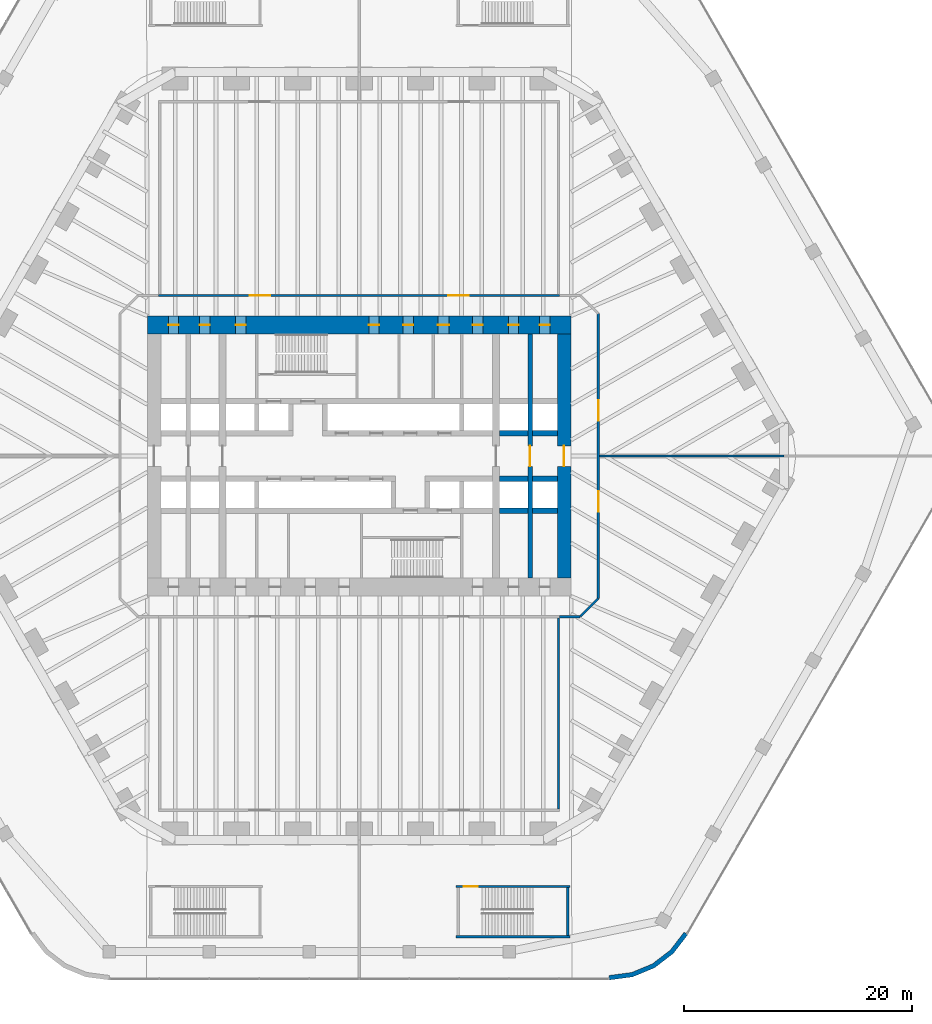
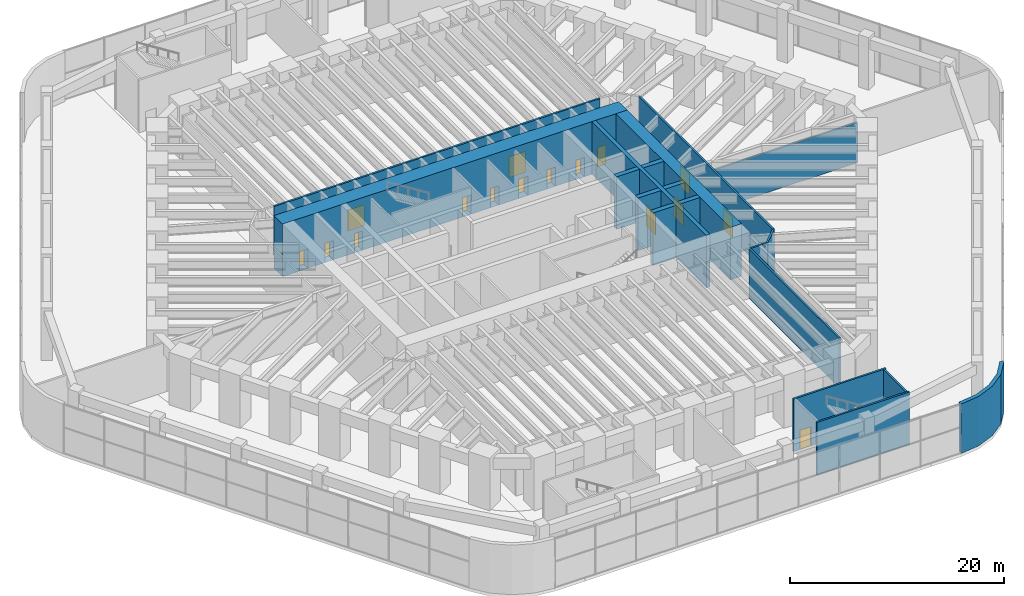
# One storey, part 28 of 31: 19 walls, 16 doors, 16 openings.
"""IFC4 building model written with IfcOpenShell, lengths in metres."""

from ifc_helpers import new_model, si_unit, direction, frame, frame_2d, origin, place, context, subcontext, project, spatial, polyline, rectangle, outline, extrude, material, layer, layer_set, type_object, element, fill, save


model = new_model("IFC4")

# Units and contexts
model_context = context("Model", 3, precision=1e-05, world=origin(), true_north=direction((0.0, 1.0)))
body_context = subcontext(model_context, "Body", "Model", "MODEL_VIEW")
ifc_project = project(units=[si_unit("LENGTHUNIT", "METRE"), si_unit("AREAUNIT", "SQUARE_METRE"), si_unit("VOLUMEUNIT", "CUBIC_METRE"), si_unit("PLANEANGLEUNIT", "RADIAN"), si_unit("MASSUNIT", "GRAM", prefix="KILO")], contexts=[model_context])

# Site, building, storey
site_placement = place(None, origin())
site = spatial("IfcSite", under=ifc_project, at=site_placement, CompositionType="ELEMENT")
building_placement = place(site_placement, origin())
building = spatial("IfcBuilding", under=site, at=building_placement, Name="Tarfa Lantern Tower", CompositionType="ELEMENT")
storey_placement = place(building_placement, frame((0.0, 0.0, 7.0)))
storey = spatial("IfcBuildingStorey", under=building, at=storey_placement, Name="L01", CompositionType="ELEMENT", Elevation=7.0)

# Wall
ifc_material_1 = material(Name="Limestone cladding on blockwork", Category="masonry")
ifc_layer_1 = layer(ifc_material_1, 0.39990234375)
ifc_layer_set_1 = layer_set([ifc_layer_1], Name="EW2 CURVED STONE CORNER 400")
wall_type_1 = type_object("IfcWallType", Name="EW2 CURVED STONE CORNER 400", PredefinedType="SOLIDWALL", material=ifc_layer_set_1)
wall_1_placement = place(storey_placement, origin())
element("IfcWall", 1, at=wall_1_placement, inside=storey, type_object=wall_type_1, Name="Stone corner S-SE", PredefinedType="SOLIDWALL", context=body_context, shape_type="SweptSolid", body=[
    extrude(outline(polyline([(21.939208984375, -46.0), (24.009765625, -45.727294921875), (25.939208984375, -44.92822265625), (27.59619140625, -43.65673828125), (28.867431640625, -42.0), (28.52099609375, -41.800048828125), (27.313232421875, -43.3740234375), (25.7392578125, -44.581787109375), (23.90625, -45.341064453125), (21.939208984375, -45.60009765625), (21.939208984375, -46.0)])), origin(), (0.0, 0.0, 1.0), 5.64990234375),
])

# Wall, openings, doors
ifc_material_2 = material(Name="Gypsum board on steel studs", Category="steel")
ifc_layer_2 = layer(ifc_material_2, 0.2099609375)
ifc_layer_set_2 = layer_set([ifc_layer_2], Name="IW2 ACOUSTIC PARTITION 200")
wall_type_2 = type_object("IfcWallType", Name="IW2 ACOUSTIC PARTITION 200", PredefinedType="PARTITIONING", material=ifc_layer_set_2)
wall_2_placement = place(storey_placement, frame((-17.60009765625, 14.10009765625, 0.0), z_axis=(0.0, 0.0, 1.0), x_axis=(1.0, 0.0, 0.0)))
wall_2 = element("IfcWall", 2, at=wall_2_placement, inside=storey, type_object=wall_type_2, Name="Partition", PredefinedType="PARTITIONING", context=body_context, shape_type="SweptSolid", body=[
    extrude(rectangle(XDim=35.2001953125, YDim=0.199951171875, at=frame_2d((17.60009765625, 0.0))), origin(), (0.0, 0.0, 1.0), 5.64990234375),
])
opening_1_placement = place(wall_2_placement, frame((8.0, 0.0, 0.0)))
opening_1 = element("IfcOpeningElement", 3, at=opening_1_placement, cuts=wall_2, Name="Opening D33", PredefinedType="OPENING", context=body_context, shape_type="SweptSolid", body=[
    extrude(rectangle(XDim=1.800048828125, YDim=2.39990234375, at=frame_2d((0.89990234375, 1.199951171875))), frame((0.0, 0.10986328125, 0.0), z_axis=(0.0, -1.0, 0.0), x_axis=(1.0, 0.0, 0.0)), (0.0, 0.0, 1.0), 0.219970703125),
])
opening_2_placement = place(wall_2_placement, frame((25.39990234375, 0.0, 0.0)))
opening_2 = element("IfcOpeningElement", 4, at=opening_2_placement, cuts=wall_2, Name="Opening D34", PredefinedType="OPENING", context=body_context, shape_type="SweptSolid", body=[
    extrude(rectangle(XDim=1.800048828125, YDim=2.39990234375, at=frame_2d((0.89990234375, 1.199951171875))), frame((0.0, 0.10986328125, 0.0), z_axis=(0.0, -1.0, 0.0), x_axis=(1.0, 0.0, 0.0)), (0.0, 0.0, 1.0), 0.219970703125),
])
ifc_material_3 = material(Name="Timber door", Category="wood")
door_type_1 = type_object("IfcDoorType", Name="DR2 ROOM DOOR 1800x2400", OperationType="DOUBLE_DOOR_SINGLE_SWING", PredefinedType="DOOR", material=ifc_material_3)
door_1_placement = place(opening_1_placement, origin())
door_1 = element("IfcDoor", 5, at=door_1_placement, inside=storey, type_object=door_type_1, Name="Auditorium door", OperationType="DOUBLE_DOOR_SINGLE_SWING", OverallHeight=2.39990234375, OverallWidth=1.800048828125, PredefinedType="DOOR", context=body_context, shape_type="SweptSolid", body=[
    extrude(rectangle(XDim=1.800048828125, YDim=2.39990234375, at=frame_2d((0.89990234375, 1.199951171875))), frame((0.0, 0.02490234375, 0.0), z_axis=(0.0, -1.0, 0.0), x_axis=(1.0, 0.0, 0.0)), (0.0, 0.0, 1.0), 0.050048828125),
])
fill(opening_1, door_1)
door_2_placement = place(opening_2_placement, origin())
door_2 = element("IfcDoor", 6, at=door_2_placement, inside=storey, type_object=door_type_1, Name="Auditorium door", OperationType="DOUBLE_DOOR_SINGLE_SWING", OverallHeight=2.39990234375, OverallWidth=1.800048828125, PredefinedType="DOOR", context=body_context, shape_type="SweptSolid", body=[
    extrude(rectangle(XDim=1.800048828125, YDim=2.39990234375, at=frame_2d((0.89990234375, 1.199951171875))), frame((0.0, 0.02490234375, 0.0), z_axis=(0.0, -1.0, 0.0), x_axis=(1.0, 0.0, 0.0)), (0.0, 0.0, 1.0), 0.050048828125),
])
fill(opening_2, door_2)

# Wall
wall_3_placement = place(storey_placement, frame((17.5, -14.199951171875, 0.0), z_axis=(0.0, 0.0, 1.0), x_axis=(0.0, -1.0, 0.0)))
element("IfcWall", 7, at=wall_3_placement, inside=storey, type_object=wall_type_2, Name="Partition", PredefinedType="PARTITIONING", context=body_context, shape_type="SweptSolid", body=[
    extrude(rectangle(XDim=16.800048828125, YDim=0.199951171875, at=frame_2d((8.39990234375, 0.0))), origin(), (0.0, 0.0, 1.0), 5.64990234375),
])

# Wall, openings, doors
wall_4_placement = place(storey_placement, frame((21.0, 12.5, 0.0), z_axis=(0.0, 0.0, 1.0), x_axis=(0.0, -1.0, 0.0)))
wall_4 = element("IfcWall", 8, at=wall_4_placement, inside=storey, type_object=wall_type_2, Name="Partition", PredefinedType="PARTITIONING", context=body_context, shape_type="SweptSolid", body=[
    extrude(rectangle(XDim=25.0, YDim=0.199951171875, at=frame_2d((12.5, 0.0))), origin(), (0.0, 0.0, 1.0), 5.64990234375),
])
opening_3_placement = place(wall_4_placement, frame((7.60009765625, 0.0, 0.0)))
opening_3 = element("IfcOpeningElement", 9, at=opening_3_placement, cuts=wall_4, Name="Opening D41", PredefinedType="OPENING", context=body_context, shape_type="SweptSolid", body=[
    extrude(rectangle(XDim=1.800048828125, YDim=2.39990234375, at=frame_2d((0.89990234375, 1.199951171875))), frame((0.0, 0.10986328125, 0.0), z_axis=(0.0, -1.0, 0.0), x_axis=(1.0, 0.0, 0.0)), (0.0, 0.0, 1.0), 0.219970703125),
])
opening_4_placement = place(wall_4_placement, frame((15.60009765625, 0.0, 0.0)))
opening_4 = element("IfcOpeningElement", 10, at=opening_4_placement, cuts=wall_4, Name="Opening D43", PredefinedType="OPENING", context=body_context, shape_type="SweptSolid", body=[
    extrude(rectangle(XDim=1.800048828125, YDim=2.39990234375, at=frame_2d((0.89990234375, 1.199951171875))), frame((0.0, 0.10986328125, 0.0), z_axis=(0.0, -1.0, 0.0), x_axis=(1.0, 0.0, 0.0)), (0.0, 0.0, 1.0), 0.219970703125),
])
door_3_placement = place(opening_3_placement, origin())
door_3 = element("IfcDoor", 11, at=door_3_placement, inside=storey, type_object=door_type_1, Name="Events team workplace door", OperationType="DOUBLE_DOOR_SINGLE_SWING", OverallHeight=2.39990234375, OverallWidth=1.800048828125, PredefinedType="DOOR", context=body_context, shape_type="SweptSolid", body=[
    extrude(rectangle(XDim=1.800048828125, YDim=2.39990234375, at=frame_2d((0.89990234375, 1.199951171875))), frame((0.0, 0.02490234375, 0.0), z_axis=(0.0, -1.0, 0.0), x_axis=(1.0, 0.0, 0.0)), (0.0, 0.0, 1.0), 0.050048828125),
])
fill(opening_3, door_3)
door_4_placement = place(opening_4_placement, origin())
door_4 = element("IfcDoor", 12, at=door_4_placement, inside=storey, type_object=door_type_1, Name="Events team workplace door", OperationType="DOUBLE_DOOR_SINGLE_SWING", OverallHeight=2.39990234375, OverallWidth=1.800048828125, PredefinedType="DOOR", context=body_context, shape_type="SweptSolid", body=[
    extrude(rectangle(XDim=1.800048828125, YDim=2.39990234375, at=frame_2d((0.89990234375, 1.199951171875))), frame((0.0, 0.02490234375, 0.0), z_axis=(0.0, -1.0, 0.0), x_axis=(1.0, 0.0, 0.0)), (0.0, 0.0, 1.0), 0.050048828125),
])
fill(opening_4, door_4)

# Walls
wall_5_placement = place(storey_placement, frame((21.0, -12.5, 0.0), z_axis=(0.0, 0.0, 1.0), x_axis=(-0.707106781187, -0.707106781187, 0.0)))
element("IfcWall", 13, at=wall_5_placement, inside=storey, type_object=wall_type_2, Name="Partition", PredefinedType="PARTITIONING", context=body_context, shape_type="SweptSolid", body=[
    extrude(rectangle(XDim=2.262939453125, YDim=0.199951171875, at=frame_2d((1.13134765625, 0.0))), origin(), (0.0, 0.0, 1.0), 5.64990234375),
])
wall_6_placement = place(storey_placement, frame((19.39990234375, -14.10009765625, 0.0), z_axis=(0.0, 0.0, 1.0), x_axis=(-1.0, 0.0, 0.0)))
element("IfcWall", 14, at=wall_6_placement, inside=storey, type_object=wall_type_2, Name="Partition", PredefinedType="PARTITIONING", context=body_context, shape_type="SweptSolid", body=[
    extrude(rectangle(XDim=1.7998046875, YDim=0.199951171875, at=frame_2d((0.89990234375, 0.0))), origin(), (0.0, 0.0, 1.0), 5.64990234375),
])
wall_7_placement = place(storey_placement, frame((21.10009765625, 0.0, 0.0), z_axis=(0.0, 0.0, 1.0), x_axis=(1.0, 0.0, 0.0)))
element("IfcWall", 15, at=wall_7_placement, inside=storey, type_object=wall_type_2, Name="Partition", PredefinedType="PARTITIONING", context=body_context, shape_type="SweptSolid", body=[
    extrude(rectangle(XDim=16.185302734375, YDim=0.199951171875, at=frame_2d((8.0927734375, 0.0))), origin(), (0.0, 0.0, 1.0), 4.593994140625),
])

# Wall, opening, door
ifc_material_4 = material(Name="Concrete C80/95", Category="concrete")
ifc_layer_3 = layer(ifc_material_4, 1.199951171875)
ifc_layer_set_3 = layer_set([ifc_layer_3], Name="SW1 CORE WALL 1200")
wall_type_3 = type_object("IfcWallType", Name="SW1 CORE WALL 1200", PredefinedType="SHEAR", material=ifc_layer_set_3)
wall_8_placement = place(storey_placement, frame((18.0, -10.699951171875, 0.0), z_axis=(0.0, 0.0, 1.0), x_axis=(0.0, 1.0, 0.0)))
wall_8 = element("IfcWall", 16, at=wall_8_placement, inside=storey, type_object=wall_type_3, Name="Core wall E", PredefinedType="SHEAR", context=body_context, shape_type="SweptSolid", body=[
    extrude(rectangle(XDim=21.39990234375, YDim=1.199951171875, at=frame_2d((10.699951171875, 0.0))), origin(), (0.0, 0.0, 1.0), 6.0),
])
opening_5_placement = place(wall_8_placement, frame((9.800048828125, 0.0, 0.0)))
opening_5 = element("IfcOpeningElement", 17, at=opening_5_placement, cuts=wall_8, Name="Opening D15", PredefinedType="OPENING", context=body_context, shape_type="SweptSolid", body=[
    extrude(rectangle(XDim=1.800048828125, YDim=2.39990234375, at=frame_2d((0.89990234375, 1.199951171875))), frame((0.0, 0.60986328125, 0.0), z_axis=(0.0, -1.0, 0.0), x_axis=(1.0, 0.0, 0.0)), (0.0, 0.0, 1.0), 1.219970703125),
])
ifc_material_5 = material(Name="Steel fire door", Category="steel")
door_type_2 = type_object("IfcDoorType", Name="DL1 LOBBY DOOR 1800x2400", OperationType="DOUBLE_DOOR_SINGLE_SWING", PredefinedType="DOOR", material=ifc_material_5)
door_5_placement = place(opening_5_placement, frame((1.800048828125, 0.0, 0.0), z_axis=(0.0, 0.0, 1.0), x_axis=(-1.0, 0.0, 0.0)))
door_5 = element("IfcDoor", 18, at=door_5_placement, inside=storey, type_object=door_type_2, Name="Lift lobby door", OperationType="DOUBLE_DOOR_SINGLE_SWING", OverallHeight=2.39990234375, OverallWidth=1.800048828125, PredefinedType="DOOR", context=body_context, shape_type="SweptSolid", body=[
    extrude(rectangle(XDim=1.800048828125, YDim=2.39990234375, at=frame_2d((0.89990234375, 1.199951171875))), frame((0.0, 0.02490234375, 0.0), z_axis=(0.0, -1.0, 0.0), x_axis=(1.0, 0.0, 0.0)), (0.0, 0.0, 1.0), 0.050048828125),
])
fill(opening_5, door_5)

# Wall
ifc_layer_4 = layer(ifc_material_4, 0.199951171875)
ifc_layer_set_4 = layer_set([ifc_layer_4], Name="SW12 CORE WALL 200")
wall_type_4 = type_object("IfcWallType", Name="SW12 CORE WALL 200", PredefinedType="SHEAR", material=ifc_layer_set_4)
wall_9_placement = place(storey_placement, frame((8.5, -42.199951171875, 0.0), z_axis=(0.0, 0.0, 1.0), x_axis=(1.0, 0.0, 0.0)))
element("IfcWall", 19, at=wall_9_placement, inside=storey, type_object=wall_type_4, Name="Stair ST6 shaft wall", PredefinedType="SHEAR", context=body_context, shape_type="SweptSolid", body=[
    extrude(rectangle(XDim=10.0, YDim=0.199951171875, at=frame_2d((5.0, 0.0))), origin(), (0.0, 0.0, 1.0), 6.0),
])

# Wall, opening, door
wall_10_placement = place(storey_placement, frame((18.5, -37.800048828125, 0.0), z_axis=(0.0, 0.0, 1.0), x_axis=(-1.0, 0.0, 0.0)))
wall_10 = element("IfcWall", 20, at=wall_10_placement, inside=storey, type_object=wall_type_4, Name="Stair ST6 shaft wall", PredefinedType="SHEAR", context=body_context, shape_type="SweptSolid", body=[
    extrude(rectangle(XDim=10.0, YDim=0.199951171875, at=frame_2d((5.0, 0.0))), origin(), (0.0, 0.0, 1.0), 6.0),
])
opening_6_placement = place(wall_10_placement, frame((8.10009765625, 0.0, 0.0)))
opening_6 = element("IfcOpeningElement", 21, at=opening_6_placement, cuts=wall_10, Name="Opening D32", PredefinedType="OPENING", context=body_context, shape_type="SweptSolid", body=[
    extrude(rectangle(XDim=1.199951171875, YDim=2.199951171875, at=frame_2d((0.60009765625, 1.10009765625))), frame((0.0, 0.10986328125, 0.0), z_axis=(0.0, -1.0, 0.0), x_axis=(1.0, 0.0, 0.0)), (0.0, 0.0, 1.0), 0.219970703125),
])
door_type_3 = type_object("IfcDoorType", Name="DF9 STAIR DOOR 1200x2200", OperationType="SINGLE_SWING_LEFT", PredefinedType="DOOR", material=ifc_material_5)
door_6_placement = place(opening_6_placement, frame((1.199951171875, 0.0, 0.0), z_axis=(0.0, 0.0, 1.0), x_axis=(-1.0, 0.0, 0.0)))
door_6 = element("IfcDoor", 22, at=door_6_placement, inside=storey, type_object=door_type_3, Name="Stair door", OperationType="SINGLE_SWING_RIGHT", OverallHeight=2.199951171875, OverallWidth=1.199951171875, PredefinedType="DOOR", context=body_context, shape_type="SweptSolid", body=[
    extrude(rectangle(XDim=1.199951171875, YDim=2.199951171875, at=frame_2d((0.60009765625, 1.10009765625))), frame((0.0, 0.02490234375, 0.0), z_axis=(0.0, -1.0, 0.0), x_axis=(1.0, 0.0, 0.0)), (0.0, 0.0, 1.0), 0.050048828125),
])
fill(opening_6, door_6)

# Walls
wall_11_placement = place(storey_placement, frame((18.300048828125, -42.10009765625, 0.0), z_axis=(0.0, 0.0, 1.0), x_axis=(0.0, 1.0, 0.0)))
element("IfcWall", 23, at=wall_11_placement, inside=storey, type_object=wall_type_4, Name="Stair ST6 shaft wall", PredefinedType="SHEAR", context=body_context, shape_type="SweptSolid", body=[
    extrude(rectangle(XDim=4.2001953125, YDim=0.199951171875, at=frame_2d((2.10009765625, 0.0))), origin(), (0.0, 0.0, 1.0), 6.0),
])
ifc_layer_5 = layer(ifc_material_4, 0.5)
ifc_layer_set_5 = layer_set([ifc_layer_5], Name="SW5 CORE WALL 500")
wall_type_5 = type_object("IfcWallType", Name="SW5 CORE WALL 500", PredefinedType="SHEAR", material=ifc_layer_set_5)
wall_12_placement = place(storey_placement, frame((12.300048828125, 2.0, 0.0), z_axis=(0.0, 0.0, 1.0), x_axis=(1.0, 0.0, 0.0)))
element("IfcWall", 24, at=wall_12_placement, inside=storey, type_object=wall_type_5, Name="Core wall lobby east N", PredefinedType="SHEAR", context=body_context, shape_type="SweptSolid", body=[
    extrude(rectangle(XDim=2.5, YDim=0.5, at=frame_2d((1.25, 0.0))), origin(), (0.0, 0.0, 1.0), 6.0),
])
for number, where, z_axis, x_axis, name in (
    (25, (15.199951171875, 2.0, 0.0), (0.0, 0.0, 1.0), (1.0, 0.0, 0.0), "Core wall lobby east N"),
    (26, (17.39990234375, -2.0, 0.0), (0.0, 0.0, 1.0), (-1.0, 0.0, 0.0), "Core wall lobby west S"),
):
    element("IfcWall", number, at=place(storey_placement, frame(where, z_axis=z_axis, x_axis=x_axis)), inside=storey, type_object=wall_type_5, Name=name, PredefinedType="SHEAR", context=body_context, shape_type="SweptSolid", body=[
        extrude(rectangle(XDim=2.199951171875, YDim=0.5, at=frame_2d((1.10009765625, 0.0))), origin(), (0.0, 0.0, 1.0), 6.0),
    ])
wall_13_placement = place(storey_placement, frame((14.800048828125, -2.0, 0.0), z_axis=(0.0, 0.0, 1.0), x_axis=(-1.0, 0.0, 0.0)))
element("IfcWall", 27, at=wall_13_placement, inside=storey, type_object=wall_type_5, Name="Core wall lobby west S", PredefinedType="SHEAR", context=body_context, shape_type="SweptSolid", body=[
    extrude(rectangle(XDim=2.5, YDim=0.5, at=frame_2d((1.25, 0.0))), origin(), (0.0, 0.0, 1.0), 6.0),
])
wall_14_placement = place(storey_placement, frame((17.39990234375, -4.800048828125, 0.0), z_axis=(0.0, 0.0, 1.0), x_axis=(-1.0, 0.0, 0.0)))
element("IfcWall", 28, at=wall_14_placement, inside=storey, type_object=wall_type_5, Name="Core wall rear S", PredefinedType="SHEAR", context=body_context, shape_type="SweptSolid", body=[
    extrude(rectangle(XDim=2.199951171875, YDim=0.5, at=frame_2d((1.10009765625, 0.0))), origin(), (0.0, 0.0, 1.0), 6.0),
])
wall_15_placement = place(storey_placement, frame((14.800048828125, -4.800048828125, 0.0), z_axis=(0.0, 0.0, 1.0), x_axis=(-1.0, 0.0, 0.0)))
element("IfcWall", 29, at=wall_15_placement, inside=storey, type_object=wall_type_5, Name="Core wall rear S", PredefinedType="SHEAR", context=body_context, shape_type="SweptSolid", body=[
    extrude(rectangle(XDim=2.5, YDim=0.5, at=frame_2d((1.25, 0.0))), origin(), (0.0, 0.0, 1.0), 6.0),
])

# Wall, opening, door
ifc_layer_6 = layer(ifc_material_4, 0.39990234375)
ifc_layer_set_6 = layer_set([ifc_layer_6], Name="SW6 CORE WALL 400")
wall_type_6 = type_object("IfcWallType", Name="SW6 CORE WALL 400", PredefinedType="SHEAR", material=ifc_layer_set_6)
wall_16_placement = place(storey_placement, frame((15.0, -10.699951171875, 0.0), z_axis=(0.0, 0.0, 1.0), x_axis=(0.0, 1.0, 0.0)))
wall_16 = element("IfcWall", 30, at=wall_16_placement, inside=storey, type_object=wall_type_6, Name="Core wall cross 15 m east", PredefinedType="SHEAR", context=body_context, shape_type="SweptSolid", body=[
    extrude(rectangle(XDim=21.39990234375, YDim=0.39990234375, at=frame_2d((10.699951171875, 0.0))), origin(), (0.0, 0.0, 1.0), 6.0),
])
opening_7_placement = place(wall_16_placement, frame((9.800048828125, 0.0, 0.0)))
opening_7 = element("IfcOpeningElement", 31, at=opening_7_placement, cuts=wall_16, Name="Opening D26", PredefinedType="OPENING", context=body_context, shape_type="SweptSolid", body=[
    extrude(rectangle(XDim=1.800048828125, YDim=2.39990234375, at=frame_2d((0.89990234375, 1.199951171875))), frame((0.0, 0.2099609375, 0.0), z_axis=(0.0, -1.0, 0.0), x_axis=(1.0, 0.0, 0.0)), (0.0, 0.0, 1.0), 0.419921875),
])
door_7_placement = place(opening_7_placement, origin())
door_7 = element("IfcDoor", 32, at=door_7_placement, inside=storey, type_object=door_type_2, Name="Lift lobby door", OperationType="DOUBLE_DOOR_SINGLE_SWING", OverallHeight=2.39990234375, OverallWidth=1.800048828125, PredefinedType="DOOR", context=body_context, shape_type="SweptSolid", body=[
    extrude(rectangle(XDim=1.800048828125, YDim=2.39990234375, at=frame_2d((0.89990234375, 1.199951171875))), frame((0.0, 0.02490234375, 0.0), z_axis=(0.0, -1.0, 0.0), x_axis=(1.0, 0.0, 0.0)), (0.0, 0.0, 1.0), 0.050048828125),
])
fill(opening_7, door_7)

# Wall, openings, doors
ifc_layer_7 = layer(ifc_material_4, 1.60009765625)
ifc_layer_set_7 = layer_set([ifc_layer_7], Name="SW7 CORE WALL 1600")
wall_type_7 = type_object("IfcWallType", Name="SW7 CORE WALL 1600", PredefinedType="SHEAR", material=ifc_layer_set_7)
wall_17_placement = place(storey_placement, frame((-18.60009765625, 11.5, 0.0), z_axis=(0.0, 0.0, 1.0), x_axis=(1.0, 0.0, 0.0)))
wall_17 = element("IfcWall", 33, at=wall_17_placement, inside=storey, type_object=wall_type_7, Name="Core wall N", PredefinedType="SHEAR", context=body_context, shape_type="SweptSolid", body=[
    extrude(rectangle(XDim=37.2001953125, YDim=1.60009765625, at=frame_2d((18.60009765625, 0.0))), origin(), (0.0, 0.0, 1.0), 6.0),
])
opening_8_placement = place(wall_17_placement, frame((19.449951171875, 0.0, 0.0)))
opening_8 = element("IfcOpeningElement", 34, at=opening_8_placement, cuts=wall_17, Name="Opening D17", PredefinedType="OPENING", context=body_context, shape_type="SweptSolid", body=[
    extrude(rectangle(XDim=0.89990234375, YDim=2.199951171875, at=frame_2d((0.449951171875, 1.10009765625))), frame((0.0, 0.81005859375, 0.0), z_axis=(0.0, -1.0, 0.0), x_axis=(1.0, 0.0, 0.0)), (0.0, 0.0, 1.0), 1.6201171875),
])
opening_9_placement = place(wall_17_placement, frame((22.449951171875, 0.0, 0.0)))
opening_9 = element("IfcOpeningElement", 35, at=opening_9_placement, cuts=wall_17, Name="Opening D19", PredefinedType="OPENING", context=body_context, shape_type="SweptSolid", body=[
    extrude(rectangle(XDim=0.89990234375, YDim=2.199951171875, at=frame_2d((0.449951171875, 1.10009765625))), frame((0.0, 0.81005859375, 0.0), z_axis=(0.0, -1.0, 0.0), x_axis=(1.0, 0.0, 0.0)), (0.0, 0.0, 1.0), 1.6201171875),
])
opening_10_placement = place(wall_17_placement, frame((25.5, 0.0, 0.0)))
opening_10 = element("IfcOpeningElement", 36, at=opening_10_placement, cuts=wall_17, Name="Opening D21", PredefinedType="OPENING", context=body_context, shape_type="SweptSolid", body=[
    extrude(rectangle(XDim=1.0, YDim=2.199951171875, at=frame_2d((0.5, 1.10009765625))), frame((0.0, 0.81005859375, 0.0), z_axis=(0.0, -1.0, 0.0), x_axis=(1.0, 0.0, 0.0)), (0.0, 0.0, 1.0), 1.6201171875),
])
opening_11_placement = place(wall_17_placement, frame((1.85009765625, 0.0, 0.0)))
opening_11 = element("IfcOpeningElement", 37, at=opening_11_placement, cuts=wall_17, Name="Opening D11", PredefinedType="OPENING", context=body_context, shape_type="SweptSolid", body=[
    extrude(rectangle(XDim=0.89990234375, YDim=2.199951171875, at=frame_2d((0.449951171875, 1.10009765625))), frame((0.0, 0.81005859375, 0.0), z_axis=(0.0, -1.0, 0.0), x_axis=(1.0, 0.0, 0.0)), (0.0, 0.0, 1.0), 1.6201171875),
])
opening_12_placement = place(wall_17_placement, frame((4.60009765625, 0.0, 0.0)))
opening_12 = element("IfcOpeningElement", 38, at=opening_12_placement, cuts=wall_17, Name="Opening D07", PredefinedType="OPENING", context=body_context, shape_type="SweptSolid", body=[
    extrude(rectangle(XDim=0.89990234375, YDim=2.199951171875, at=frame_2d((0.449951171875, 1.10009765625))), frame((0.0, 0.81005859375, 0.0), z_axis=(0.0, -1.0, 0.0), x_axis=(1.0, 0.0, 0.0)), (0.0, 0.0, 1.0), 1.6201171875),
])
opening_13_placement = place(wall_17_placement, frame((7.75, 0.0, 0.0)))
opening_13 = element("IfcOpeningElement", 39, at=opening_13_placement, cuts=wall_17, Name="Opening D09", PredefinedType="OPENING", context=body_context, shape_type="SweptSolid", body=[
    extrude(rectangle(XDim=0.89990234375, YDim=2.199951171875, at=frame_2d((0.449951171875, 1.10009765625))), frame((0.0, 0.81005859375, 0.0), z_axis=(0.0, -1.0, 0.0), x_axis=(1.0, 0.0, 0.0)), (0.0, 0.0, 1.0), 1.6201171875),
])
opening_14_placement = place(wall_17_placement, frame((28.550048828125, 0.0, 0.0)))
opening_14 = element("IfcOpeningElement", 40, at=opening_14_placement, cuts=wall_17, Name="Opening D05", PredefinedType="OPENING", context=body_context, shape_type="SweptSolid", body=[
    extrude(rectangle(XDim=0.89990234375, YDim=2.199951171875, at=frame_2d((0.449951171875, 1.10009765625))), frame((0.0, 0.81005859375, 0.0), z_axis=(0.0, -1.0, 0.0), x_axis=(1.0, 0.0, 0.0)), (0.0, 0.0, 1.0), 1.6201171875),
])
opening_15_placement = place(wall_17_placement, frame((31.699951171875, 0.0, 0.0)))
opening_15 = element("IfcOpeningElement", 41, at=opening_15_placement, cuts=wall_17, Name="Opening D01", PredefinedType="OPENING", context=body_context, shape_type="SweptSolid", body=[
    extrude(rectangle(XDim=0.89990234375, YDim=2.199951171875, at=frame_2d((0.449951171875, 1.10009765625))), frame((0.0, 0.81005859375, 0.0), z_axis=(0.0, -1.0, 0.0), x_axis=(1.0, 0.0, 0.0)), (0.0, 0.0, 1.0), 1.6201171875),
])
opening_16_placement = place(wall_17_placement, frame((34.449951171875, 0.0, 0.0)))
opening_16 = element("IfcOpeningElement", 42, at=opening_16_placement, cuts=wall_17, Name="Opening D03", PredefinedType="OPENING", context=body_context, shape_type="SweptSolid", body=[
    extrude(rectangle(XDim=0.89990234375, YDim=2.199951171875, at=frame_2d((0.449951171875, 1.10009765625))), frame((0.0, 0.81005859375, 0.0), z_axis=(0.0, -1.0, 0.0), x_axis=(1.0, 0.0, 0.0)), (0.0, 0.0, 1.0), 1.6201171875),
])
door_type_4 = type_object("IfcDoorType", Name="DF3 CORE ROOM DOOR 900x2200", OperationType="SINGLE_SWING_LEFT", PredefinedType="DOOR", material=ifc_material_5)
door_8_placement = place(opening_8_placement, frame((0.89990234375, 0.0, 0.0), z_axis=(0.0, 0.0, 1.0), x_axis=(-1.0, 0.0, 0.0)))
door_8 = element("IfcDoor", 43, at=door_8_placement, inside=storey, type_object=door_type_4, Name="Core door", OperationType="SINGLE_SWING_LEFT", OverallHeight=2.199951171875, OverallWidth=0.89990234375, PredefinedType="DOOR", context=body_context, shape_type="SweptSolid", body=[
    extrude(rectangle(XDim=0.89990234375, YDim=2.199951171875, at=frame_2d((0.449951171875, 1.10009765625))), frame((0.0, 0.02490234375, 0.0), z_axis=(0.0, -1.0, 0.0), x_axis=(1.0, 0.0, 0.0)), (0.0, 0.0, 1.0), 0.050048828125),
])
fill(opening_8, door_8)
door_9_placement = place(opening_9_placement, frame((0.89990234375, 0.0, 0.0), z_axis=(0.0, 0.0, 1.0), x_axis=(-1.0, 0.0, 0.0)))
door_9 = element("IfcDoor", 44, at=door_9_placement, inside=storey, type_object=door_type_4, Name="Core door", OperationType="SINGLE_SWING_LEFT", OverallHeight=2.199951171875, OverallWidth=0.89990234375, PredefinedType="DOOR", context=body_context, shape_type="SweptSolid", body=[
    extrude(rectangle(XDim=0.89990234375, YDim=2.199951171875, at=frame_2d((0.449951171875, 1.10009765625))), frame((0.0, 0.02490234375, 0.0), z_axis=(0.0, -1.0, 0.0), x_axis=(1.0, 0.0, 0.0)), (0.0, 0.0, 1.0), 0.050048828125),
])
fill(opening_9, door_9)
door_type_5 = type_object("IfcDoorType", Name="DF4 CORE ROOM DOOR 1000x2200", OperationType="SINGLE_SWING_LEFT", PredefinedType="DOOR", material=ifc_material_5)
door_10_placement = place(opening_10_placement, frame((1.0, 0.0, 0.0), z_axis=(0.0, 0.0, 1.0), x_axis=(-1.0, 0.0, 0.0)))
door_10 = element("IfcDoor", 45, at=door_10_placement, inside=storey, type_object=door_type_5, Name="Core door", OperationType="SINGLE_SWING_LEFT", OverallHeight=2.199951171875, OverallWidth=1.0, PredefinedType="DOOR", context=body_context, shape_type="SweptSolid", body=[
    extrude(rectangle(XDim=1.0, YDim=2.199951171875, at=frame_2d((0.5, 1.10009765625))), frame((0.0, 0.02490234375, 0.0), z_axis=(0.0, -1.0, 0.0), x_axis=(1.0, 0.0, 0.0)), (0.0, 0.0, 1.0), 0.050048828125),
])
fill(opening_10, door_10)
door_type_6 = type_object("IfcDoorType", Name="DF5 RISER DOOR 900x2200", OperationType="SINGLE_SWING_LEFT", PredefinedType="DOOR", material=ifc_material_5)
door_11_placement = place(opening_11_placement, frame((0.89990234375, 0.0, 0.0), z_axis=(0.0, 0.0, 1.0), x_axis=(-1.0, 0.0, 0.0)))
door_11 = element("IfcDoor", 46, at=door_11_placement, inside=storey, type_object=door_type_6, Name="Riser door", OperationType="SINGLE_SWING_LEFT", OverallHeight=2.199951171875, OverallWidth=0.89990234375, PredefinedType="DOOR", context=body_context, shape_type="SweptSolid", body=[
    extrude(rectangle(XDim=0.89990234375, YDim=2.199951171875, at=frame_2d((0.449951171875, 1.10009765625))), frame((0.0, 0.02490234375, 0.0), z_axis=(0.0, -1.0, 0.0), x_axis=(1.0, 0.0, 0.0)), (0.0, 0.0, 1.0), 0.050048828125),
])
fill(opening_11, door_11)
door_12_placement = place(opening_12_placement, frame((0.89990234375, 0.0, 0.0), z_axis=(0.0, 0.0, 1.0), x_axis=(-1.0, 0.0, 0.0)))
door_12 = element("IfcDoor", 47, at=door_12_placement, inside=storey, type_object=door_type_6, Name="Riser door", OperationType="SINGLE_SWING_LEFT", OverallHeight=2.199951171875, OverallWidth=0.89990234375, PredefinedType="DOOR", context=body_context, shape_type="SweptSolid", body=[
    extrude(rectangle(XDim=0.89990234375, YDim=2.199951171875, at=frame_2d((0.449951171875, 1.10009765625))), frame((0.0, 0.02490234375, 0.0), z_axis=(0.0, -1.0, 0.0), x_axis=(1.0, 0.0, 0.0)), (0.0, 0.0, 1.0), 0.050048828125),
])
fill(opening_12, door_12)
door_13_placement = place(opening_13_placement, frame((0.89990234375, 0.0, 0.0), z_axis=(0.0, 0.0, 1.0), x_axis=(-1.0, 0.0, 0.0)))
door_13 = element("IfcDoor", 48, at=door_13_placement, inside=storey, type_object=door_type_6, Name="Riser door", OperationType="SINGLE_SWING_LEFT", OverallHeight=2.199951171875, OverallWidth=0.89990234375, PredefinedType="DOOR", context=body_context, shape_type="SweptSolid", body=[
    extrude(rectangle(XDim=0.89990234375, YDim=2.199951171875, at=frame_2d((0.449951171875, 1.10009765625))), frame((0.0, 0.02490234375, 0.0), z_axis=(0.0, -1.0, 0.0), x_axis=(1.0, 0.0, 0.0)), (0.0, 0.0, 1.0), 0.050048828125),
])
fill(opening_13, door_13)
door_14_placement = place(opening_14_placement, frame((0.89990234375, 0.0, 0.0), z_axis=(0.0, 0.0, 1.0), x_axis=(-1.0, 0.0, 0.0)))
door_14 = element("IfcDoor", 49, at=door_14_placement, inside=storey, type_object=door_type_6, Name="Riser door", OperationType="SINGLE_SWING_RIGHT", OverallHeight=2.199951171875, OverallWidth=0.89990234375, PredefinedType="DOOR", context=body_context, shape_type="SweptSolid", body=[
    extrude(rectangle(XDim=0.89990234375, YDim=2.199951171875, at=frame_2d((0.449951171875, 1.10009765625))), frame((0.0, 0.02490234375, 0.0), z_axis=(0.0, -1.0, 0.0), x_axis=(1.0, 0.0, 0.0)), (0.0, 0.0, 1.0), 0.050048828125),
])
fill(opening_14, door_14)
door_15_placement = place(opening_15_placement, frame((0.89990234375, 0.0, 0.0), z_axis=(0.0, 0.0, 1.0), x_axis=(-1.0, 0.0, 0.0)))
door_15 = element("IfcDoor", 50, at=door_15_placement, inside=storey, type_object=door_type_6, Name="Riser door", OperationType="SINGLE_SWING_RIGHT", OverallHeight=2.199951171875, OverallWidth=0.89990234375, PredefinedType="DOOR", context=body_context, shape_type="SweptSolid", body=[
    extrude(rectangle(XDim=0.89990234375, YDim=2.199951171875, at=frame_2d((0.449951171875, 1.10009765625))), frame((0.0, 0.02490234375, 0.0), z_axis=(0.0, -1.0, 0.0), x_axis=(1.0, 0.0, 0.0)), (0.0, 0.0, 1.0), 0.050048828125),
])
fill(opening_15, door_15)
door_16_placement = place(opening_16_placement, frame((0.89990234375, 0.0, 0.0), z_axis=(0.0, 0.0, 1.0), x_axis=(-1.0, 0.0, 0.0)))
door_16 = element("IfcDoor", 51, at=door_16_placement, inside=storey, type_object=door_type_6, Name="Riser door", OperationType="SINGLE_SWING_RIGHT", OverallHeight=2.199951171875, OverallWidth=0.89990234375, PredefinedType="DOOR", context=body_context, shape_type="SweptSolid", body=[
    extrude(rectangle(XDim=0.89990234375, YDim=2.199951171875, at=frame_2d((0.449951171875, 1.10009765625))), frame((0.0, 0.02490234375, 0.0), z_axis=(0.0, -1.0, 0.0), x_axis=(1.0, 0.0, 0.0)), (0.0, 0.0, 1.0), 0.050048828125),
])
fill(opening_16, door_16)

save(model, "model.ifc")
